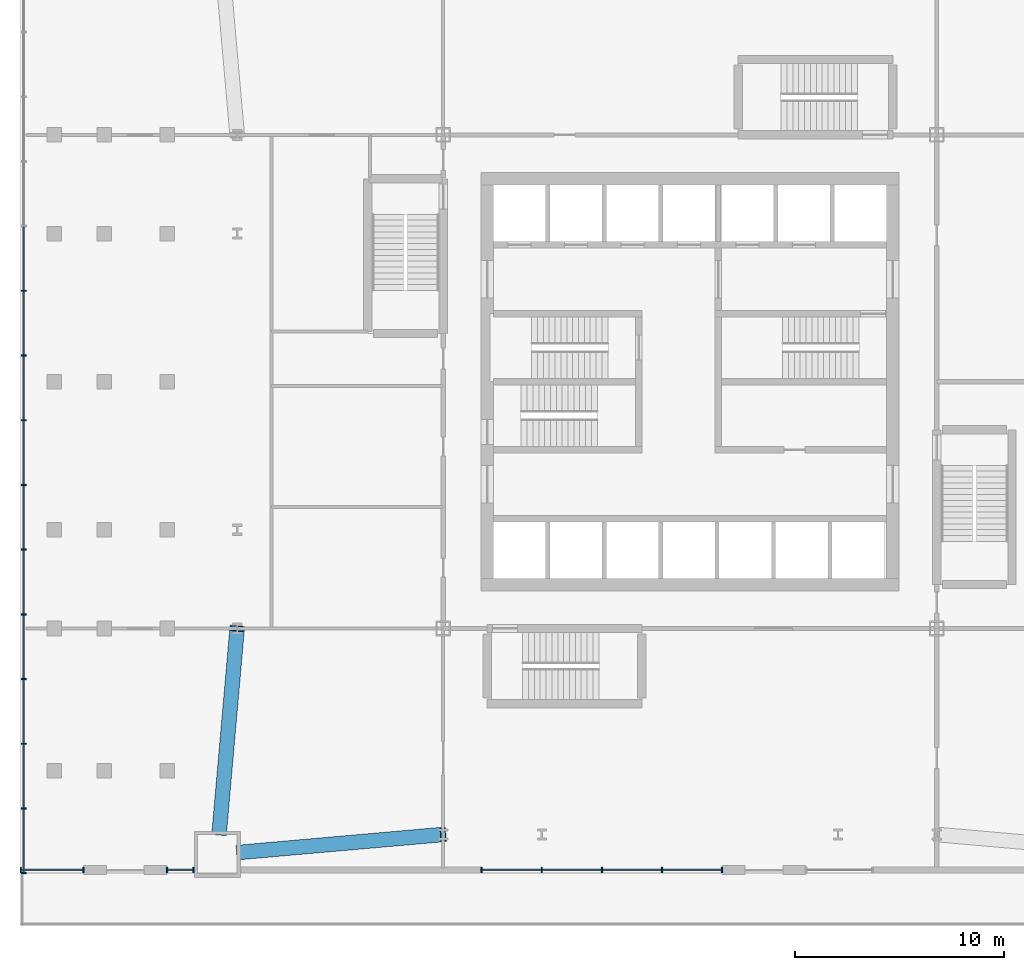
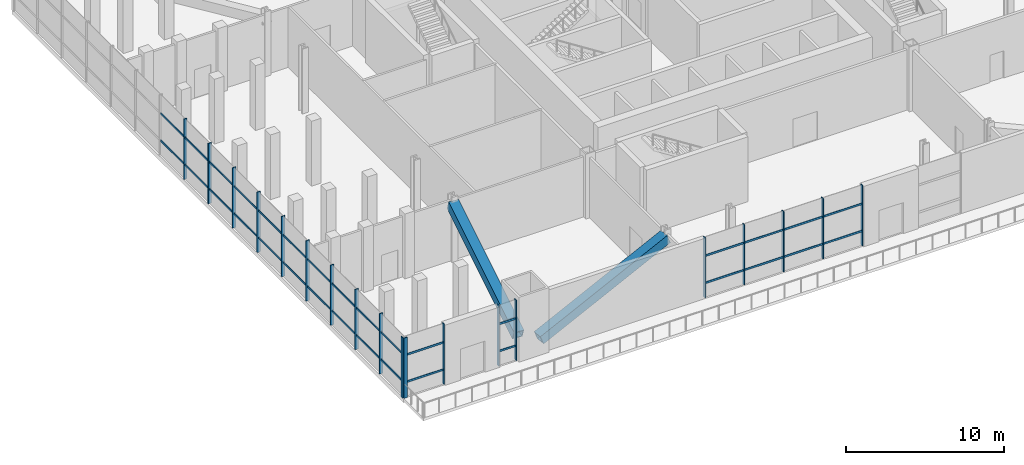
# One storey, part 2 of 12: 53 members, 4 elements without a shape of their own.
"""IFC4 building model written with IfcOpenShell, lengths in metres."""

from ifc_helpers import new_model, si_unit, direction, frame, origin, origin_2d, place, context, subcontext, project, spatial, rectangle, hollow_rectangle, extrude, material, material_profile, profile_set, type_object, element, aggregate, save


model = new_model("IFC4")

# Units and contexts
model_context = context("Model", 3, precision=1e-05, world=origin(), true_north=direction((0.0, 1.0)))
body_context = subcontext(model_context, "Body", "Model", "MODEL_VIEW")
ifc_project = project(units=[si_unit("LENGTHUNIT", "METRE"), si_unit("AREAUNIT", "SQUARE_METRE"), si_unit("VOLUMEUNIT", "CUBIC_METRE"), si_unit("PLANEANGLEUNIT", "RADIAN"), si_unit("MASSUNIT", "GRAM", prefix="KILO")], contexts=[model_context])

# Site, building, storey
site_placement = place(None, origin())
site = spatial("IfcSite", under=ifc_project, at=site_placement, CompositionType="ELEMENT")
building_placement = place(site_placement, origin())
building = spatial("IfcBuilding", under=site, at=building_placement, Name="Turquesa Mirador Hotel Tower", CompositionType="ELEMENT")
storey_placement = place(building_placement, frame((0.0, 0.0, 11.0)))
storey = spatial("IfcBuildingStorey", under=building, at=storey_placement, Name="L02", CompositionType="ELEMENT", Elevation=11.0)

# Curtain wall, members
ifc_material_1 = material(Name="Aluminium extrusion", Category="aluminium")
curtain_wall_type = type_object("IfcCurtainWallType", Name="CW-2 PODIUM CURTAIN WALL", PredefinedType="USERDEFINED", material=ifc_material_1)
curtain_wall_1_placement = place(storey_placement, origin())
curtain_wall_1 = element("IfcCurtainWall", 1, at=curtain_wall_1_placement, inside=storey, type_object=curtain_wall_type, Name="CW-2 PODIUM CURTAIN WALL L02", ObjectType="CURTAIN WALL", PredefinedType="USERDEFINED")
ifc_material_2 = material(Name="Aluminium extrusion", Category="aluminium")
ifc_material_profile_1 = material_profile(ifc_material_2, rectangle(XDim=0.06494140625, YDim=0.25, at=origin_2d()), Name="MULLION 65X250")
ifc_profile_set_1 = profile_set([ifc_material_profile_1], Name="Aluminium extrusion")
member_type_1 = type_object("IfcMemberType", Name="CW MULLION 65X250", PredefinedType="MULLION", material=ifc_profile_set_1)
member_1_placement = place(storey_placement, frame((23.0, 21.64990234375, 0.0), z_axis=(0.0, 0.0, 1.0), x_axis=(1.0, 0.0, 0.0)))
member_1 = element("IfcMember", 2, at=member_1_placement, type_object=member_type_1, Name="Mullion", PredefinedType="MULLION", context=body_context, shape_type="SweptSolid", body=[
    extrude(rectangle(XDim=0.06494140625, YDim=0.25, at=origin_2d()), origin(), (0.0, 0.0, 1.0), 4.64990234375),
])
member_2_placement = place(storey_placement, frame((26.0, 21.64990234375, 0.0), z_axis=(0.0, 0.0, 1.0), x_axis=(1.0, 0.0, 0.0)))
member_2 = element("IfcMember", 3, at=member_2_placement, type_object=member_type_1, Name="Mullion", PredefinedType="MULLION", context=body_context, shape_type="SweptSolid", body=[
    extrude(rectangle(XDim=0.06494140625, YDim=0.25, at=origin_2d()), origin(), (0.0, 0.0, 1.0), 4.64990234375),
])

curtain_wall_2_placement = place(storey_placement, origin())
curtain_wall_2 = element("IfcCurtainWall", 4, at=curtain_wall_2_placement, inside=storey, type_object=curtain_wall_type, Name="CW-2 PODIUM CURTAIN WALL L02", ObjectType="CURTAIN WALL", PredefinedType="USERDEFINED")
member_3_placement = place(storey_placement, frame((30.0, 21.64990234375, 0.0), z_axis=(0.0, 0.0, 1.0), x_axis=(1.0, 0.0, 0.0)))
member_3 = element("IfcMember", 5, at=member_3_placement, type_object=member_type_1, Name="Mullion", PredefinedType="MULLION", context=body_context, shape_type="SweptSolid", body=[
    extrude(rectangle(XDim=0.06494140625, YDim=0.25, at=origin_2d()), origin(), (0.0, 0.0, 1.0), 4.64990234375),
])
member_4_placement = place(storey_placement, frame((31.265380859375, 21.64990234375, 0.0), z_axis=(0.0, 0.0, 1.0), x_axis=(1.0, 0.0, 0.0)))
member_4 = element("IfcMember", 6, at=member_4_placement, type_object=member_type_1, Name="Mullion", PredefinedType="MULLION", context=body_context, shape_type="SweptSolid", body=[
    extrude(rectangle(XDim=0.06494140625, YDim=0.25, at=origin_2d()), origin(), (0.0, 0.0, 1.0), 4.64990234375),
])

curtain_wall_3_placement = place(storey_placement, origin())
curtain_wall_3 = element("IfcCurtainWall", 7, at=curtain_wall_3_placement, inside=storey, type_object=curtain_wall_type, Name="CW-2 PODIUM CURTAIN WALL L02", ObjectType="CURTAIN WALL", PredefinedType="USERDEFINED")
member_5_placement = place(storey_placement, frame((45.037353515625, 21.64990234375, 0.0), z_axis=(0.0, 0.0, 1.0), x_axis=(1.0, 0.0, 0.0)))
member_5 = element("IfcMember", 8, at=member_5_placement, type_object=member_type_1, Name="Mullion", PredefinedType="MULLION", context=body_context, shape_type="SweptSolid", body=[
    extrude(rectangle(XDim=0.06494140625, YDim=0.25, at=origin_2d()), origin(), (0.0, 0.0, 1.0), 4.64990234375),
])
member_6_placement = place(storey_placement, frame((47.912841796875, 21.64990234375, 0.0), z_axis=(0.0, 0.0, 1.0), x_axis=(1.0, 0.0, 0.0)))
member_6 = element("IfcMember", 9, at=member_6_placement, type_object=member_type_1, Name="Mullion", PredefinedType="MULLION", context=body_context, shape_type="SweptSolid", body=[
    extrude(rectangle(XDim=0.06494140625, YDim=0.25, at=origin_2d()), origin(), (0.0, 0.0, 1.0), 4.64990234375),
])
member_7_placement = place(storey_placement, frame((50.78857421875, 21.64990234375, 0.0), z_axis=(0.0, 0.0, 1.0), x_axis=(1.0, 0.0, 0.0)))
member_7 = element("IfcMember", 10, at=member_7_placement, type_object=member_type_1, Name="Mullion", PredefinedType="MULLION", context=body_context, shape_type="SweptSolid", body=[
    extrude(rectangle(XDim=0.06494140625, YDim=0.25, at=origin_2d()), origin(), (0.0, 0.0, 1.0), 4.64990234375),
])
member_8_placement = place(storey_placement, frame((53.664306640625, 21.64990234375, 0.0), z_axis=(0.0, 0.0, 1.0), x_axis=(1.0, 0.0, 0.0)))
member_8 = element("IfcMember", 11, at=member_8_placement, type_object=member_type_1, Name="Mullion", PredefinedType="MULLION", context=body_context, shape_type="SweptSolid", body=[
    extrude(rectangle(XDim=0.06494140625, YDim=0.25, at=origin_2d()), origin(), (0.0, 0.0, 1.0), 4.64990234375),
])
member_9_placement = place(storey_placement, frame((56.5400390625, 21.64990234375, 0.0), z_axis=(0.0, 0.0, 1.0), x_axis=(1.0, 0.0, 0.0)))
member_9 = element("IfcMember", 12, at=member_9_placement, type_object=member_type_1, Name="Mullion", PredefinedType="MULLION", context=body_context, shape_type="SweptSolid", body=[
    extrude(rectangle(XDim=0.06494140625, YDim=0.25, at=origin_2d()), origin(), (0.0, 0.0, 1.0), 4.64990234375),
])

curtain_wall_4_placement = place(storey_placement, origin())
curtain_wall_4 = element("IfcCurtainWall", 13, at=curtain_wall_4_placement, inside=storey, type_object=curtain_wall_type, Name="CW-2 PODIUM CURTAIN WALL L02", ObjectType="CURTAIN WALL", PredefinedType="USERDEFINED")
member_10_placement = place(storey_placement, frame((23.14990234375, 49.34375, 0.0), z_axis=(0.0, 0.0, 1.0), x_axis=(0.0, -1.0, 0.0)))
member_10 = element("IfcMember", 14, at=member_10_placement, type_object=member_type_1, Name="Mullion", PredefinedType="MULLION", context=body_context, shape_type="SweptSolid", body=[
    extrude(rectangle(XDim=0.06494140625, YDim=0.25, at=origin_2d()), origin(), (0.0, 0.0, 1.0), 4.64990234375),
])
member_11_placement = place(storey_placement, frame((23.14990234375, 46.25, 0.0), z_axis=(0.0, 0.0, 1.0), x_axis=(0.0, -1.0, 0.0)))
member_11 = element("IfcMember", 15, at=member_11_placement, type_object=member_type_1, Name="Mullion", PredefinedType="MULLION", context=body_context, shape_type="SweptSolid", body=[
    extrude(rectangle(XDim=0.06494140625, YDim=0.25, at=origin_2d()), origin(), (0.0, 0.0, 1.0), 4.64990234375),
])
member_12_placement = place(storey_placement, frame((23.14990234375, 43.15625, 0.0), z_axis=(0.0, 0.0, 1.0), x_axis=(0.0, -1.0, 0.0)))
member_12 = element("IfcMember", 16, at=member_12_placement, type_object=member_type_1, Name="Mullion", PredefinedType="MULLION", context=body_context, shape_type="SweptSolid", body=[
    extrude(rectangle(XDim=0.06494140625, YDim=0.25, at=origin_2d()), origin(), (0.0, 0.0, 1.0), 4.64990234375),
])
member_13_placement = place(storey_placement, frame((23.14990234375, 40.0625, 0.0), z_axis=(0.0, 0.0, 1.0), x_axis=(0.0, -1.0, 0.0)))
member_13 = element("IfcMember", 17, at=member_13_placement, type_object=member_type_1, Name="Mullion", PredefinedType="MULLION", context=body_context, shape_type="SweptSolid", body=[
    extrude(rectangle(XDim=0.06494140625, YDim=0.25, at=origin_2d()), origin(), (0.0, 0.0, 1.0), 4.64990234375),
])
member_14_placement = place(storey_placement, frame((23.14990234375, 36.96875, 0.0), z_axis=(0.0, 0.0, 1.0), x_axis=(0.0, -1.0, 0.0)))
member_14 = element("IfcMember", 18, at=member_14_placement, type_object=member_type_1, Name="Mullion", PredefinedType="MULLION", context=body_context, shape_type="SweptSolid", body=[
    extrude(rectangle(XDim=0.06494140625, YDim=0.25, at=origin_2d()), origin(), (0.0, 0.0, 1.0), 4.64990234375),
])
member_15_placement = place(storey_placement, frame((23.14990234375, 33.875, 0.0), z_axis=(0.0, 0.0, 1.0), x_axis=(0.0, -1.0, 0.0)))
member_15 = element("IfcMember", 19, at=member_15_placement, type_object=member_type_1, Name="Mullion", PredefinedType="MULLION", context=body_context, shape_type="SweptSolid", body=[
    extrude(rectangle(XDim=0.06494140625, YDim=0.25, at=origin_2d()), origin(), (0.0, 0.0, 1.0), 4.64990234375),
])
member_16_placement = place(storey_placement, frame((23.14990234375, 30.78125, 0.0), z_axis=(0.0, 0.0, 1.0), x_axis=(0.0, -1.0, 0.0)))
member_16 = element("IfcMember", 20, at=member_16_placement, type_object=member_type_1, Name="Mullion", PredefinedType="MULLION", context=body_context, shape_type="SweptSolid", body=[
    extrude(rectangle(XDim=0.06494140625, YDim=0.25, at=origin_2d()), origin(), (0.0, 0.0, 1.0), 4.64990234375),
])
member_17_placement = place(storey_placement, frame((23.14990234375, 27.6875, 0.0), z_axis=(0.0, 0.0, 1.0), x_axis=(0.0, -1.0, 0.0)))
member_17 = element("IfcMember", 21, at=member_17_placement, type_object=member_type_1, Name="Mullion", PredefinedType="MULLION", context=body_context, shape_type="SweptSolid", body=[
    extrude(rectangle(XDim=0.06494140625, YDim=0.25, at=origin_2d()), origin(), (0.0, 0.0, 1.0), 4.64990234375),
])
member_18_placement = place(storey_placement, frame((23.14990234375, 24.59375, 0.0), z_axis=(0.0, 0.0, 1.0), x_axis=(0.0, -1.0, 0.0)))
member_18 = element("IfcMember", 22, at=member_18_placement, type_object=member_type_1, Name="Mullion", PredefinedType="MULLION", context=body_context, shape_type="SweptSolid", body=[
    extrude(rectangle(XDim=0.06494140625, YDim=0.25, at=origin_2d()), origin(), (0.0, 0.0, 1.0), 4.64990234375),
])
member_19_placement = place(storey_placement, frame((23.14990234375, 21.5, 0.0), z_axis=(0.0, 0.0, 1.0), x_axis=(0.0, -1.0, 0.0)))
member_19 = element("IfcMember", 23, at=member_19_placement, type_object=member_type_1, Name="Mullion", PredefinedType="MULLION", context=body_context, shape_type="SweptSolid", body=[
    extrude(rectangle(XDim=0.06494140625, YDim=0.25, at=origin_2d()), origin(), (0.0, 0.0, 1.0), 4.64990234375),
])

# Member
ifc_material_3 = material(Name="Aluminium extrusion", Category="aluminium")
ifc_material_profile_2 = material_profile(ifc_material_3, rectangle(XDim=0.06494140625, YDim=0.14990234375, at=origin_2d()), Name="TRANSOM 65X150")
ifc_profile_set_2 = profile_set([ifc_material_profile_2], Name="Aluminium extrusion")
member_type_2 = type_object("IfcMemberType", Name="CW TRANSOM 65X150", PredefinedType="USERDEFINED", material=ifc_profile_set_2)
member_20_placement = place(storey_placement, frame((23.032470703125, 21.64990234375, 1.10009765625), z_axis=(1.0, 0.0, 0.0), x_axis=(0.0, 1.0, 0.0)))
member_20 = element("IfcMember", 24, at=member_20_placement, type_object=member_type_2, Name="Transom", ObjectType="TRANSOM", PredefinedType="USERDEFINED", context=body_context, shape_type="SweptSolid", body=[
    extrude(rectangle(XDim=0.06494140625, YDim=0.14990234375, at=origin_2d()), origin(), (0.0, 0.0, 1.0), 2.93505859375),
])

member_21_placement = place(storey_placement, frame((23.032470703125, 21.64990234375, 3.199951171875), z_axis=(1.0, 0.0, 0.0), x_axis=(0.0, 1.0, 0.0)))
member_21 = element("IfcMember", 25, at=member_21_placement, type_object=member_type_2, Name="Transom", ObjectType="TRANSOM", PredefinedType="USERDEFINED", context=body_context, shape_type="SweptSolid", body=[
    extrude(rectangle(XDim=0.06494140625, YDim=0.14990234375, at=origin_2d()), origin(), (0.0, 0.0, 1.0), 2.93505859375),
])

aggregate(curtain_wall_1, [member_1, member_2, member_20, member_21])

member_22_placement = place(storey_placement, frame((30.032470703125, 21.64990234375, 1.10009765625), z_axis=(1.0, 0.0, 0.0), x_axis=(0.0, 1.0, 0.0)))
member_22 = element("IfcMember", 26, at=member_22_placement, type_object=member_type_2, Name="Transom", ObjectType="TRANSOM", PredefinedType="USERDEFINED", context=body_context, shape_type="SweptSolid", body=[
    extrude(rectangle(XDim=0.06494140625, YDim=0.14990234375, at=origin_2d()), origin(), (0.0, 0.0, 1.0), 1.200439453125),
])

member_23_placement = place(storey_placement, frame((30.032470703125, 21.64990234375, 3.199951171875), z_axis=(1.0, 0.0, 0.0), x_axis=(0.0, 1.0, 0.0)))
member_23 = element("IfcMember", 27, at=member_23_placement, type_object=member_type_2, Name="Transom", ObjectType="TRANSOM", PredefinedType="USERDEFINED", context=body_context, shape_type="SweptSolid", body=[
    extrude(rectangle(XDim=0.06494140625, YDim=0.14990234375, at=origin_2d()), origin(), (0.0, 0.0, 1.0), 1.200439453125),
])

aggregate(curtain_wall_2, [member_3, member_4, member_22, member_23])

member_24_placement = place(storey_placement, frame((45.06982421875, 21.64990234375, 1.10009765625), z_axis=(1.0, 0.0, 0.0), x_axis=(0.0, 1.0, 0.0)))
member_24 = element("IfcMember", 28, at=member_24_placement, type_object=member_type_2, Name="Transom", ObjectType="TRANSOM", PredefinedType="USERDEFINED", context=body_context, shape_type="SweptSolid", body=[
    extrude(rectangle(XDim=0.06494140625, YDim=0.14990234375, at=origin_2d()), origin(), (0.0, 0.0, 1.0), 2.810546875),
])

member_25_placement = place(storey_placement, frame((45.06982421875, 21.64990234375, 3.199951171875), z_axis=(1.0, 0.0, 0.0), x_axis=(0.0, 1.0, 0.0)))
member_25 = element("IfcMember", 29, at=member_25_placement, type_object=member_type_2, Name="Transom", ObjectType="TRANSOM", PredefinedType="USERDEFINED", context=body_context, shape_type="SweptSolid", body=[
    extrude(rectangle(XDim=0.06494140625, YDim=0.14990234375, at=origin_2d()), origin(), (0.0, 0.0, 1.0), 2.810546875),
])

member_26_placement = place(storey_placement, frame((47.945556640625, 21.64990234375, 1.10009765625), z_axis=(1.0, 0.0, 0.0), x_axis=(0.0, 1.0, 0.0)))
member_26 = element("IfcMember", 30, at=member_26_placement, type_object=member_type_2, Name="Transom", ObjectType="TRANSOM", PredefinedType="USERDEFINED", context=body_context, shape_type="SweptSolid", body=[
    extrude(rectangle(XDim=0.06494140625, YDim=0.14990234375, at=origin_2d()), origin(), (0.0, 0.0, 1.0), 2.810546875),
])

member_27_placement = place(storey_placement, frame((47.945556640625, 21.64990234375, 3.199951171875), z_axis=(1.0, 0.0, 0.0), x_axis=(0.0, 1.0, 0.0)))
member_27 = element("IfcMember", 31, at=member_27_placement, type_object=member_type_2, Name="Transom", ObjectType="TRANSOM", PredefinedType="USERDEFINED", context=body_context, shape_type="SweptSolid", body=[
    extrude(rectangle(XDim=0.06494140625, YDim=0.14990234375, at=origin_2d()), origin(), (0.0, 0.0, 1.0), 2.810546875),
])

member_28_placement = place(storey_placement, frame((50.821044921875, 21.64990234375, 1.10009765625), z_axis=(1.0, 0.0, 0.0), x_axis=(0.0, 1.0, 0.0)))
member_28 = element("IfcMember", 32, at=member_28_placement, type_object=member_type_2, Name="Transom", ObjectType="TRANSOM", PredefinedType="USERDEFINED", context=body_context, shape_type="SweptSolid", body=[
    extrude(rectangle(XDim=0.06494140625, YDim=0.14990234375, at=origin_2d()), origin(), (0.0, 0.0, 1.0), 2.810791015625),
])

member_29_placement = place(storey_placement, frame((50.821044921875, 21.64990234375, 3.199951171875), z_axis=(1.0, 0.0, 0.0), x_axis=(0.0, 1.0, 0.0)))
member_29 = element("IfcMember", 33, at=member_29_placement, type_object=member_type_2, Name="Transom", ObjectType="TRANSOM", PredefinedType="USERDEFINED", context=body_context, shape_type="SweptSolid", body=[
    extrude(rectangle(XDim=0.06494140625, YDim=0.14990234375, at=origin_2d()), origin(), (0.0, 0.0, 1.0), 2.810791015625),
])

member_30_placement = place(storey_placement, frame((53.69677734375, 21.64990234375, 1.10009765625), z_axis=(1.0, 0.0, 0.0), x_axis=(0.0, 1.0, 0.0)))
member_30 = element("IfcMember", 34, at=member_30_placement, type_object=member_type_2, Name="Transom", ObjectType="TRANSOM", PredefinedType="USERDEFINED", context=body_context, shape_type="SweptSolid", body=[
    extrude(rectangle(XDim=0.06494140625, YDim=0.14990234375, at=origin_2d()), origin(), (0.0, 0.0, 1.0), 2.810791015625),
])

member_31_placement = place(storey_placement, frame((53.69677734375, 21.64990234375, 3.199951171875), z_axis=(1.0, 0.0, 0.0), x_axis=(0.0, 1.0, 0.0)))
member_31 = element("IfcMember", 35, at=member_31_placement, type_object=member_type_2, Name="Transom", ObjectType="TRANSOM", PredefinedType="USERDEFINED", context=body_context, shape_type="SweptSolid", body=[
    extrude(rectangle(XDim=0.06494140625, YDim=0.14990234375, at=origin_2d()), origin(), (0.0, 0.0, 1.0), 2.810791015625),
])

aggregate(curtain_wall_3, [member_5, member_6, member_7, member_8, member_9, member_24, member_25, member_26, member_27, member_28, member_29, member_30, member_31])

member_32_placement = place(storey_placement, frame((23.14990234375, 52.405029296875, 1.10009765625), z_axis=(0.0, -1.0, 0.0), x_axis=(1.0, 0.0, 0.0)))
member_32 = element("IfcMember", 36, at=member_32_placement, type_object=member_type_2, Name="Transom", ObjectType="TRANSOM", PredefinedType="USERDEFINED", context=body_context, shape_type="SweptSolid", body=[
    extrude(rectangle(XDim=0.06494140625, YDim=0.14990234375, at=origin_2d()), origin(), (0.0, 0.0, 1.0), 3.02880859375),
])

member_33_placement = place(storey_placement, frame((23.14990234375, 52.405029296875, 3.199951171875), z_axis=(0.0, -1.0, 0.0), x_axis=(1.0, 0.0, 0.0)))
member_33 = element("IfcMember", 37, at=member_33_placement, type_object=member_type_2, Name="Transom", ObjectType="TRANSOM", PredefinedType="USERDEFINED", context=body_context, shape_type="SweptSolid", body=[
    extrude(rectangle(XDim=0.06494140625, YDim=0.14990234375, at=origin_2d()), origin(), (0.0, 0.0, 1.0), 3.02880859375),
])

member_34_placement = place(storey_placement, frame((23.14990234375, 49.311279296875, 1.10009765625), z_axis=(0.0, -1.0, 0.0), x_axis=(1.0, 0.0, 0.0)))
member_34 = element("IfcMember", 38, at=member_34_placement, type_object=member_type_2, Name="Transom", ObjectType="TRANSOM", PredefinedType="USERDEFINED", context=body_context, shape_type="SweptSolid", body=[
    extrude(rectangle(XDim=0.06494140625, YDim=0.14990234375, at=origin_2d()), origin(), (0.0, 0.0, 1.0), 3.02880859375),
])

member_35_placement = place(storey_placement, frame((23.14990234375, 49.311279296875, 3.199951171875), z_axis=(0.0, -1.0, 0.0), x_axis=(1.0, 0.0, 0.0)))
member_35 = element("IfcMember", 39, at=member_35_placement, type_object=member_type_2, Name="Transom", ObjectType="TRANSOM", PredefinedType="USERDEFINED", context=body_context, shape_type="SweptSolid", body=[
    extrude(rectangle(XDim=0.06494140625, YDim=0.14990234375, at=origin_2d()), origin(), (0.0, 0.0, 1.0), 3.02880859375),
])

member_36_placement = place(storey_placement, frame((23.14990234375, 46.217529296875, 1.10009765625), z_axis=(0.0, -1.0, 0.0), x_axis=(1.0, 0.0, 0.0)))
member_36 = element("IfcMember", 40, at=member_36_placement, type_object=member_type_2, Name="Transom", ObjectType="TRANSOM", PredefinedType="USERDEFINED", context=body_context, shape_type="SweptSolid", body=[
    extrude(rectangle(XDim=0.06494140625, YDim=0.14990234375, at=origin_2d()), origin(), (0.0, 0.0, 1.0), 3.02880859375),
])

member_37_placement = place(storey_placement, frame((23.14990234375, 46.217529296875, 3.199951171875), z_axis=(0.0, -1.0, 0.0), x_axis=(1.0, 0.0, 0.0)))
member_37 = element("IfcMember", 41, at=member_37_placement, type_object=member_type_2, Name="Transom", ObjectType="TRANSOM", PredefinedType="USERDEFINED", context=body_context, shape_type="SweptSolid", body=[
    extrude(rectangle(XDim=0.06494140625, YDim=0.14990234375, at=origin_2d()), origin(), (0.0, 0.0, 1.0), 3.02880859375),
])

member_38_placement = place(storey_placement, frame((23.14990234375, 43.123779296875, 1.10009765625), z_axis=(0.0, -1.0, 0.0), x_axis=(1.0, 0.0, 0.0)))
member_38 = element("IfcMember", 42, at=member_38_placement, type_object=member_type_2, Name="Transom", ObjectType="TRANSOM", PredefinedType="USERDEFINED", context=body_context, shape_type="SweptSolid", body=[
    extrude(rectangle(XDim=0.06494140625, YDim=0.14990234375, at=origin_2d()), origin(), (0.0, 0.0, 1.0), 3.02880859375),
])

member_39_placement = place(storey_placement, frame((23.14990234375, 43.123779296875, 3.199951171875), z_axis=(0.0, -1.0, 0.0), x_axis=(1.0, 0.0, 0.0)))
member_39 = element("IfcMember", 43, at=member_39_placement, type_object=member_type_2, Name="Transom", ObjectType="TRANSOM", PredefinedType="USERDEFINED", context=body_context, shape_type="SweptSolid", body=[
    extrude(rectangle(XDim=0.06494140625, YDim=0.14990234375, at=origin_2d()), origin(), (0.0, 0.0, 1.0), 3.02880859375),
])

member_40_placement = place(storey_placement, frame((23.14990234375, 40.030029296875, 1.10009765625), z_axis=(0.0, -1.0, 0.0), x_axis=(1.0, 0.0, 0.0)))
member_40 = element("IfcMember", 44, at=member_40_placement, type_object=member_type_2, Name="Transom", ObjectType="TRANSOM", PredefinedType="USERDEFINED", context=body_context, shape_type="SweptSolid", body=[
    extrude(rectangle(XDim=0.06494140625, YDim=0.14990234375, at=origin_2d()), origin(), (0.0, 0.0, 1.0), 3.02880859375),
])

member_41_placement = place(storey_placement, frame((23.14990234375, 40.030029296875, 3.199951171875), z_axis=(0.0, -1.0, 0.0), x_axis=(1.0, 0.0, 0.0)))
member_41 = element("IfcMember", 45, at=member_41_placement, type_object=member_type_2, Name="Transom", ObjectType="TRANSOM", PredefinedType="USERDEFINED", context=body_context, shape_type="SweptSolid", body=[
    extrude(rectangle(XDim=0.06494140625, YDim=0.14990234375, at=origin_2d()), origin(), (0.0, 0.0, 1.0), 3.02880859375),
])

member_42_placement = place(storey_placement, frame((23.14990234375, 36.936279296875, 1.10009765625), z_axis=(0.0, -1.0, 0.0), x_axis=(1.0, 0.0, 0.0)))
member_42 = element("IfcMember", 46, at=member_42_placement, type_object=member_type_2, Name="Transom", ObjectType="TRANSOM", PredefinedType="USERDEFINED", context=body_context, shape_type="SweptSolid", body=[
    extrude(rectangle(XDim=0.06494140625, YDim=0.14990234375, at=origin_2d()), origin(), (0.0, 0.0, 1.0), 3.02880859375),
])

member_43_placement = place(storey_placement, frame((23.14990234375, 36.936279296875, 3.199951171875), z_axis=(0.0, -1.0, 0.0), x_axis=(1.0, 0.0, 0.0)))
member_43 = element("IfcMember", 47, at=member_43_placement, type_object=member_type_2, Name="Transom", ObjectType="TRANSOM", PredefinedType="USERDEFINED", context=body_context, shape_type="SweptSolid", body=[
    extrude(rectangle(XDim=0.06494140625, YDim=0.14990234375, at=origin_2d()), origin(), (0.0, 0.0, 1.0), 3.02880859375),
])

member_44_placement = place(storey_placement, frame((23.14990234375, 33.842529296875, 1.10009765625), z_axis=(0.0, -1.0, 0.0), x_axis=(1.0, 0.0, 0.0)))
member_44 = element("IfcMember", 48, at=member_44_placement, type_object=member_type_2, Name="Transom", ObjectType="TRANSOM", PredefinedType="USERDEFINED", context=body_context, shape_type="SweptSolid", body=[
    extrude(rectangle(XDim=0.06494140625, YDim=0.14990234375, at=origin_2d()), origin(), (0.0, 0.0, 1.0), 3.02880859375),
])

member_45_placement = place(storey_placement, frame((23.14990234375, 33.842529296875, 3.199951171875), z_axis=(0.0, -1.0, 0.0), x_axis=(1.0, 0.0, 0.0)))
member_45 = element("IfcMember", 49, at=member_45_placement, type_object=member_type_2, Name="Transom", ObjectType="TRANSOM", PredefinedType="USERDEFINED", context=body_context, shape_type="SweptSolid", body=[
    extrude(rectangle(XDim=0.06494140625, YDim=0.14990234375, at=origin_2d()), origin(), (0.0, 0.0, 1.0), 3.02880859375),
])

member_46_placement = place(storey_placement, frame((23.14990234375, 30.748779296875, 1.10009765625), z_axis=(0.0, -1.0, 0.0), x_axis=(1.0, 0.0, 0.0)))
member_46 = element("IfcMember", 50, at=member_46_placement, type_object=member_type_2, Name="Transom", ObjectType="TRANSOM", PredefinedType="USERDEFINED", context=body_context, shape_type="SweptSolid", body=[
    extrude(rectangle(XDim=0.06494140625, YDim=0.14990234375, at=origin_2d()), origin(), (0.0, 0.0, 1.0), 3.02880859375),
])

member_47_placement = place(storey_placement, frame((23.14990234375, 30.748779296875, 3.199951171875), z_axis=(0.0, -1.0, 0.0), x_axis=(1.0, 0.0, 0.0)))
member_47 = element("IfcMember", 51, at=member_47_placement, type_object=member_type_2, Name="Transom", ObjectType="TRANSOM", PredefinedType="USERDEFINED", context=body_context, shape_type="SweptSolid", body=[
    extrude(rectangle(XDim=0.06494140625, YDim=0.14990234375, at=origin_2d()), origin(), (0.0, 0.0, 1.0), 3.02880859375),
])

member_48_placement = place(storey_placement, frame((23.14990234375, 27.655029296875, 1.10009765625), z_axis=(0.0, -1.0, 0.0), x_axis=(1.0, 0.0, 0.0)))
member_48 = element("IfcMember", 52, at=member_48_placement, type_object=member_type_2, Name="Transom", ObjectType="TRANSOM", PredefinedType="USERDEFINED", context=body_context, shape_type="SweptSolid", body=[
    extrude(rectangle(XDim=0.06494140625, YDim=0.14990234375, at=origin_2d()), origin(), (0.0, 0.0, 1.0), 3.02880859375),
])

member_49_placement = place(storey_placement, frame((23.14990234375, 27.655029296875, 3.199951171875), z_axis=(0.0, -1.0, 0.0), x_axis=(1.0, 0.0, 0.0)))
member_49 = element("IfcMember", 53, at=member_49_placement, type_object=member_type_2, Name="Transom", ObjectType="TRANSOM", PredefinedType="USERDEFINED", context=body_context, shape_type="SweptSolid", body=[
    extrude(rectangle(XDim=0.06494140625, YDim=0.14990234375, at=origin_2d()), origin(), (0.0, 0.0, 1.0), 3.02880859375),
])

member_50_placement = place(storey_placement, frame((23.14990234375, 24.561279296875, 1.10009765625), z_axis=(0.0, -1.0, 0.0), x_axis=(1.0, 0.0, 0.0)))
member_50 = element("IfcMember", 54, at=member_50_placement, type_object=member_type_2, Name="Transom", ObjectType="TRANSOM", PredefinedType="USERDEFINED", context=body_context, shape_type="SweptSolid", body=[
    extrude(rectangle(XDim=0.06494140625, YDim=0.14990234375, at=origin_2d()), origin(), (0.0, 0.0, 1.0), 3.02880859375),
])

member_51_placement = place(storey_placement, frame((23.14990234375, 24.561279296875, 3.199951171875), z_axis=(0.0, -1.0, 0.0), x_axis=(1.0, 0.0, 0.0)))
member_51 = element("IfcMember", 55, at=member_51_placement, type_object=member_type_2, Name="Transom", ObjectType="TRANSOM", PredefinedType="USERDEFINED", context=body_context, shape_type="SweptSolid", body=[
    extrude(rectangle(XDim=0.06494140625, YDim=0.14990234375, at=origin_2d()), origin(), (0.0, 0.0, 1.0), 3.02880859375),
])

aggregate(curtain_wall_4, [member_10, member_11, member_12, member_13, member_14, member_15, member_16, member_17, member_18, member_19, member_32, member_33, member_34, member_35, member_36, member_37, member_38, member_39, member_40, member_41, member_42, member_43, member_44, member_45, member_46, member_47, member_48, member_49, member_50, member_51])

# Members
ifc_material_4 = material(Name="Steel ASTM A572 Grade 50", Category="steel")
ifc_material_profile_3 = material_profile(ifc_material_4, hollow_rectangle(XDim=0.699951171875, YDim=0.699951171875, WallThickness=0.06005859375, at=origin_2d()), Name="BOX700X700X60")
ifc_profile_set_3 = profile_set([ifc_material_profile_3], Name="Steel ASTM A572 Grade 50")
member_type_3 = type_object("IfcMemberType", Name="PODIUM BRACE BOX700X700X60", PredefinedType="BRACE", material=ifc_profile_set_3)
for number, where, z_axis, x_axis, name in (
    (56, (33.449951171875, 22.492431640625, 0.41796875), (0.925977133231, 0.081454268556, 0.368688962227), (-0.087627369437, 0.996153323603, 0.0), "Podium brace S"),
    (57, (32.492431640625, 23.449951171875, 0.41796875), (0.081454268556, 0.925977133231, 0.368688962227), (-0.996153323603, 0.087627369437, 0.0), "Podium brace W"),
):
    element("IfcMember", number, at=place(storey_placement, frame(where, z_axis=z_axis, x_axis=x_axis)), inside=storey, type_object=member_type_3, Name=name, PredefinedType="BRACE", context=body_context, shape_type="SweptSolid", body=[
        extrude(hollow_rectangle(XDim=0.699951171875, YDim=0.699951171875, WallThickness=0.06005859375, at=origin_2d()), origin(), (0.0, 0.0, 1.0), 10.529296875),
    ])

save(model, "model.ifc")
